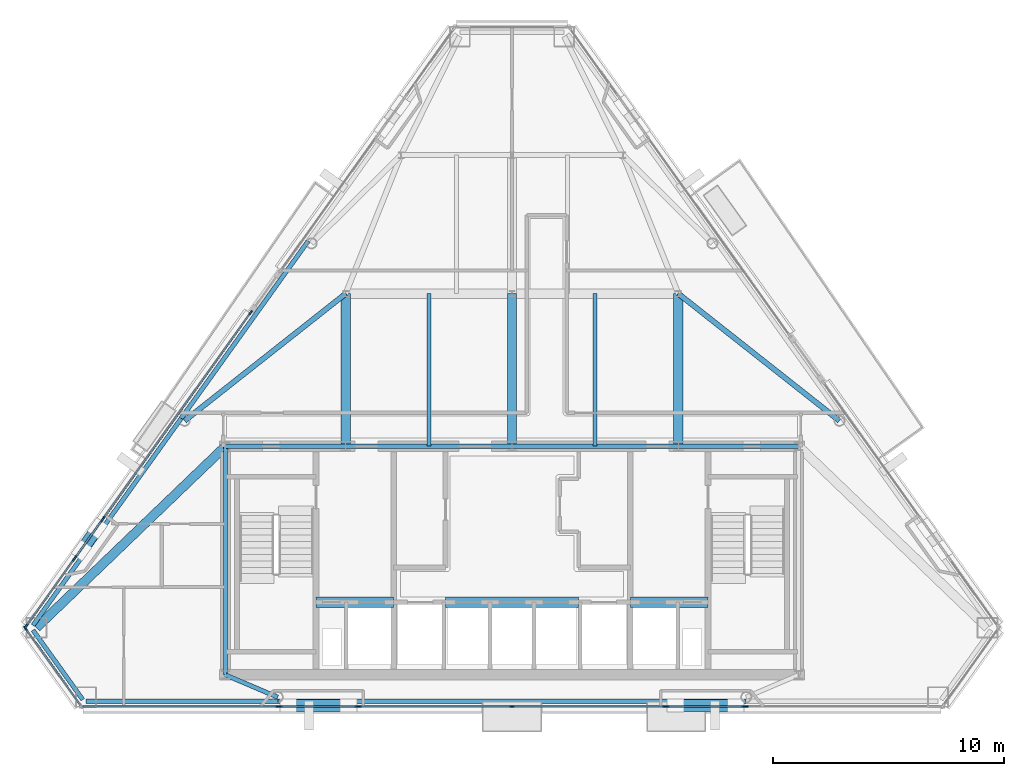
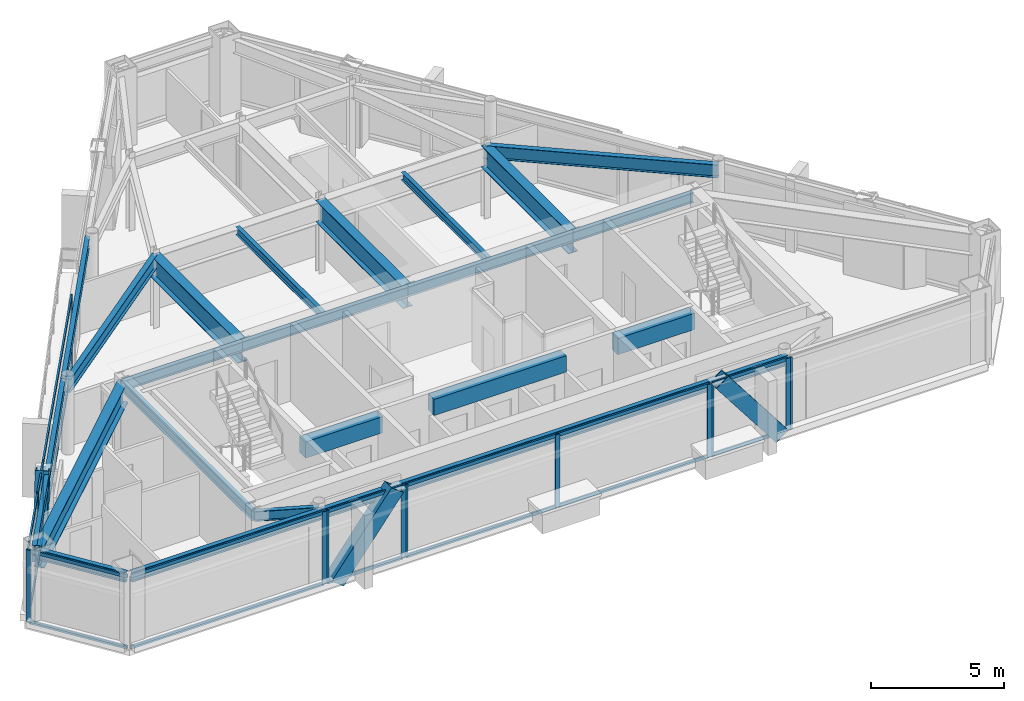
# One storey, part 4 of 12: 37 members, 22 beams, 9 elements without a shape of their own.
"""IFC4 building model written with IfcOpenShell, lengths in metres."""

from ifc_helpers import new_model, si_unit, direction, frame, origin, origin_2d, place, context, subcontext, project, spatial, rectangle, hollow_rectangle, i_section, extrude, material, layer, layer_set, material_profile, profile_set, type_object, element, aggregate, save


model = new_model("IFC4")

# Units and contexts
model_context = context("Model", 3, precision=1e-05, world=origin(), true_north=direction((0.0, 1.0)))
body_context = subcontext(model_context, "Body", "Model", "MODEL_VIEW")
ifc_project = project(units=[si_unit("LENGTHUNIT", "METRE"), si_unit("AREAUNIT", "SQUARE_METRE"), si_unit("VOLUMEUNIT", "CUBIC_METRE"), si_unit("PLANEANGLEUNIT", "RADIAN"), si_unit("MASSUNIT", "GRAM", prefix="KILO")], contexts=[model_context])

# Site, building, storey
site_placement = place(None, origin())
site = spatial("IfcSite", under=ifc_project, at=site_placement, CompositionType="ELEMENT")
building_placement = place(site_placement, origin())
building = spatial("IfcBuilding", under=site, at=building_placement, Name="Talgorran Terracotta Tower", CompositionType="ELEMENT")
storey_placement = place(building_placement, frame((0.0, 0.0, 252.60009765625)))
storey = spatial("IfcBuildingStorey", under=building, at=storey_placement, Name="L66", CompositionType="ELEMENT", Elevation=252.60009765625)

# Beams
ifc_material_1 = material(Name="Steel Grade 350 (350L0)", Category="steel")
ifc_material_profile_1 = material_profile(ifc_material_1, i_section(OverallWidth=0.39990234375, OverallDepth=1.0, WebThickness=0.01611328125, FlangeThickness=0.031005859375, at=origin_2d()), Name="1000WB296")
ifc_profile_set_1 = profile_set([ifc_material_profile_1], Name="Steel Grade 350 (350L0)")
beam_type_1 = type_object("IfcBeamType", Name="BM_1000WB296", PredefinedType="BEAM", material=ifc_profile_set_1)
for number, where, z_axis, x_axis, name in (
    (1, (-7.199951171875, -4.199951171875, 2.844970703125), (0.0, 1.0, 0.0), (-1.0, 0.0, 0.0), "L66 Floor Girder G01"),
    (2, (0.0, -4.199951171875, 2.844970703125), (0.0, 1.0, 0.0), (-1.0, 0.0, 0.0), "L66 Floor Girder G02"),
    (3, (7.199951171875, -4.199951171875, 2.844970703125), (0.0, 1.0, 0.0), (-1.0, 0.0, 0.0), "L66 Floor Girder G03"),
):
    element("IfcBeam", number, at=place(storey_placement, frame(where, z_axis=z_axis, x_axis=x_axis)), inside=storey, type_object=beam_type_1, Name=name, PredefinedType="BEAM", context=body_context, shape_type="SweptSolid", body=[
        extrude(i_section(OverallWidth=0.39990234375, OverallDepth=1.0, WebThickness=0.01611328125, FlangeThickness=0.031005859375, at=origin_2d()), origin(), (0.0, 0.0, 1.0), 6.599853515625),
    ])
beam_1_placement = place(storey_placement, frame((-12.39990234375, -4.199951171875, 2.844970703125), z_axis=(-0.721440209588, -0.692476731731, 0.0), x_axis=(0.692476731731, -0.721440209588, 0.0)))
element("IfcBeam", 4, at=beam_1_placement, inside=storey, type_object=beam_type_1, Name="L66 Floor Girder G17", PredefinedType="BEAM", context=body_context, shape_type="SweptSolid", body=[
    extrude(i_section(OverallWidth=0.39990234375, OverallDepth=1.0, WebThickness=0.01611328125, FlangeThickness=0.031005859375, at=origin_2d()), origin(), (0.0, 0.0, 1.0), 11.345703125),
])
ifc_material_2 = material(Name="Steel S355 (300PLUS)", Category="steel")
ifc_material_profile_2 = material_profile(ifc_material_2, i_section(OverallWidth=0.22802734375, OverallDepth=0.60205078125, WebThickness=0.010498046875, FlangeThickness=0.014892578125, at=origin_2d()), Name="610UB101")
ifc_profile_set_2 = profile_set([ifc_material_profile_2], Name="Steel S355 (300PLUS)")
beam_type_2 = type_object("IfcBeamType", Name="BM_610UB101", PredefinedType="BEAM", material=ifc_profile_set_2)
for number, where, z_axis, x_axis, name in (
    (5, (-7.199951171875, 2.39990234375, 3.0439453125), (-0.785110763938, -0.619355381302, 0.0), (0.619355381302, -0.785110763938, 0.0), "L66 Floor Girder G06"),
    (6, (7.199951171875, 2.39990234375, 3.0439453125), (0.785110763938, -0.619355381302, 0.0), (0.619355381302, 0.785110763938, 0.0), "L66 Floor Girder G07"),
):
    element("IfcBeam", number, at=place(storey_placement, frame(where, z_axis=z_axis, x_axis=x_axis)), inside=storey, type_object=beam_type_2, Name=name, PredefinedType="BEAM", context=body_context, shape_type="SweptSolid", body=[
        extrude(i_section(OverallWidth=0.22802734375, OverallDepth=0.60205078125, WebThickness=0.010498046875, FlangeThickness=0.014892578125, at=origin_2d()), origin(), (0.0, 0.0, 1.0), 8.878662109375),
    ])
ifc_material_3 = material(Name="Concrete C50/60", Category="concrete")
ifc_material_profile_3 = material_profile(ifc_material_3, rectangle(XDim=0.449951171875, YDim=0.75, at=origin_2d()), Name="RCCB450X750")
ifc_profile_set_3 = profile_set([ifc_material_profile_3], Name="Concrete C50/60")
beam_type_3 = type_object("IfcBeamType", Name="BM_CB_450X750", PredefinedType="LINTEL", material=ifc_profile_set_3)
beam_2_placement = place(storey_placement, frame((-8.47998046875, -10.949951171875, 2.969970703125), z_axis=(1.0, 0.0, 0.0), x_axis=(0.0, 1.0, 0.0)))
element("IfcBeam", 7, at=beam_2_placement, inside=storey, type_object=beam_type_3, Name="L66 Core Shear-Wall Coupling Beam CB1", PredefinedType="LINTEL", context=body_context, shape_type="SweptSolid", body=[
    extrude(rectangle(XDim=0.449951171875, YDim=0.75, at=origin_2d()), origin(), (0.0, 0.0, 1.0), 3.35986328125),
])
beam_3_placement = place(storey_placement, frame((-2.8798828125, -10.949951171875, 2.969970703125), z_axis=(1.0, 0.0, 0.0), x_axis=(0.0, 1.0, 0.0)))
element("IfcBeam", 8, at=beam_3_placement, inside=storey, type_object=beam_type_3, Name="L66 Core Shear-Wall Coupling Beam CB2", PredefinedType="LINTEL", context=body_context, shape_type="SweptSolid", body=[
    extrude(rectangle(XDim=0.449951171875, YDim=0.75, at=origin_2d()), origin(), (0.0, 0.0, 1.0), 5.759765625),
])
beam_4_placement = place(storey_placement, frame((5.1201171875, -10.949951171875, 2.969970703125), z_axis=(1.0, 0.0, 0.0), x_axis=(0.0, 1.0, 0.0)))
element("IfcBeam", 9, at=beam_4_placement, inside=storey, type_object=beam_type_3, Name="L66 Core Shear-Wall Coupling Beam CB3", PredefinedType="LINTEL", context=body_context, shape_type="SweptSolid", body=[
    extrude(rectangle(XDim=0.449951171875, YDim=0.75, at=origin_2d()), origin(), (0.0, 0.0, 1.0), 3.35986328125),
])
ifc_material_profile_4 = material_profile(ifc_material_2, i_section(OverallWidth=0.17138671875, OverallDepth=0.355712890625, WebThickness=0.00732421875, FlangeThickness=0.011474609375, at=origin_2d()), Name="360UB50.7")
ifc_profile_set_4 = profile_set([ifc_material_profile_4], Name="Steel S355 (300PLUS)")
beam_type_4 = type_object("IfcBeamType", Name="BM_JS_360UB51", PredefinedType="JOIST", material=ifc_profile_set_4)
for number, where, z_axis, x_axis, name in (
    (10, (-3.60009765625, -4.199951171875, 3.1669921875), (0.0, 1.0, 0.0), (-1.0, 0.0, 0.0), "L66 Secondary Joist J01"),
    (11, (3.60009765625, -4.199951171875, 3.1669921875), (0.0, 1.0, 0.0), (-1.0, 0.0, 0.0), "L66 Secondary Joist J02"),
):
    element("IfcBeam", number, at=place(storey_placement, frame(where, z_axis=z_axis, x_axis=x_axis)), inside=storey, type_object=beam_type_4, Name=name, PredefinedType="JOIST", context=body_context, shape_type="SweptSolid", body=[
        extrude(i_section(OverallWidth=0.17138671875, OverallDepth=0.355712890625, WebThickness=0.00732421875, FlangeThickness=0.011474609375, at=origin_2d()), origin(), (0.0, 0.0, 1.0), 6.599853515625),
    ])
ifc_material_profile_5 = material_profile(ifc_material_2, i_section(OverallWidth=0.18994140625, OverallDepth=0.45703125, WebThickness=0.009033203125, FlangeThickness=0.014404296875, at=origin_2d()), Name="460UB74.6")
ifc_profile_set_5 = profile_set([ifc_material_profile_5], Name="Steel S355 (300PLUS)")
beam_type_5 = type_object("IfcBeamType", Name="BM_SP_460UB74", PredefinedType="SPANDREL", material=ifc_profile_set_5)
beam_5_placement = place(storey_placement, frame((-20.7314453125, -12.16162109375, 3.116455078125), z_axis=(0.582224487769, -0.813028071989, 0.0), x_axis=(0.813028071989, 0.582224487769, 0.0)))
element("IfcBeam", 12, at=beam_5_placement, inside=storey, type_object=beam_type_5, Name="L66 Perimeter Spandrel Beam MC1-MC2", PredefinedType="SPANDREL", context=body_context, shape_type="SweptSolid", body=[
    extrude(i_section(OverallWidth=0.18994140625, OverallDepth=0.45703125, WebThickness=0.009033203125, FlangeThickness=0.014404296875, at=origin_2d()), origin(), (0.0, 0.0, 1.0), 3.697998046875),
])
beam_6_placement = place(storey_placement, frame((-18.43212890625, -15.243408203125, 3.116455078125), z_axis=(1.0, 0.0, 0.0), x_axis=(0.0, 1.0, 0.0)))
element("IfcBeam", 13, at=beam_6_placement, inside=storey, type_object=beam_type_5, Name="L66 Perimeter Spandrel Beam MC2-FC1", PredefinedType="SPANDREL", context=body_context, shape_type="SweptSolid", body=[
    extrude(i_section(OverallWidth=0.18994140625, OverallDepth=0.45703125, WebThickness=0.009033203125, FlangeThickness=0.014404296875, at=origin_2d()), origin(), (0.0, 0.0, 1.0), 8.29443359375),
])
beam_7_placement = place(storey_placement, frame((-10.1376953125, -15.243408203125, 3.116455078125), z_axis=(1.0, 0.0, 0.0), x_axis=(0.0, 1.0, 0.0)))
element("IfcBeam", 14, at=beam_7_placement, inside=storey, type_object=beam_type_5, Name="L66 Perimeter Spandrel Beam FC1-FC2", PredefinedType="SPANDREL", context=body_context, shape_type="SweptSolid", body=[
    extrude(i_section(OverallWidth=0.18994140625, OverallDepth=0.45703125, WebThickness=0.009033203125, FlangeThickness=0.014404296875, at=origin_2d()), origin(), (0.0, 0.0, 1.0), 20.275390625),
])
beam_8_placement = place(storey_placement, frame((-8.81884765625, 4.683837890625, 3.116455078125), z_axis=(-0.582203768418, -0.813042909102, 0.0), x_axis=(0.813042909102, -0.582203768418, 0.0)))
element("IfcBeam", 15, at=beam_8_placement, inside=storey, type_object=beam_type_5, Name="L66 Perimeter Spandrel Beam FC5-FC6", PredefinedType="SPANDREL", context=body_context, shape_type="SweptSolid", body=[
    extrude(i_section(OverallWidth=0.18994140625, OverallDepth=0.45703125, WebThickness=0.009033203125, FlangeThickness=0.014404296875, at=origin_2d()), origin(), (0.0, 0.0, 1.0), 9.443603515625),
])
beam_9_placement = place(storey_placement, frame((-14.31689453125, -2.994140625, 3.116455078125), z_axis=(-0.58220828918, -0.813039671855, 0.0), x_axis=(0.813039671855, -0.58220828918, 0.0)))
element("IfcBeam", 16, at=beam_9_placement, inside=storey, type_object=beam_type_5, Name="L66 Perimeter Spandrel Beam FC6-MC1", PredefinedType="SPANDREL", context=body_context, shape_type="SweptSolid", body=[
    extrude(i_section(OverallWidth=0.18994140625, OverallDepth=0.45703125, WebThickness=0.009033203125, FlangeThickness=0.014404296875, at=origin_2d()), origin(), (0.0, 0.0, 1.0), 11.017578125),
])
beam_10_placement = place(storey_placement, frame((-10.1376953125, -15.063232421875, 3.116455078125), z_axis=(-0.920082307349, 0.391725092002, 0.0), x_axis=(-0.391725092002, -0.920082307349, 0.0)))
element("IfcBeam", 17, at=beam_10_placement, inside=storey, type_object=beam_type_5, Name="L66 South-West Core Tie Beam", PredefinedType="SPANDREL", context=body_context, shape_type="SweptSolid", body=[
    extrude(i_section(OverallWidth=0.18994140625, OverallDepth=0.45703125, WebThickness=0.009033203125, FlangeThickness=0.014404296875, at=origin_2d()), origin(), (0.0, 0.0, 1.0), 2.458740234375),
])
beam_11_placement = place(storey_placement, frame((-12.39990234375, -14.10009765625, 3.116455078125), z_axis=(0.0, 1.0, 0.0), x_axis=(-1.0, 0.0, 0.0)))
element("IfcBeam", 18, at=beam_11_placement, inside=storey, type_object=beam_type_5, Name="L66 Core Frame Beam CFW", PredefinedType="SPANDREL", context=body_context, shape_type="SweptSolid", body=[
    extrude(i_section(OverallWidth=0.18994140625, OverallDepth=0.45703125, WebThickness=0.009033203125, FlangeThickness=0.014404296875, at=origin_2d()), origin(), (0.0, 0.0, 1.0), 9.900146484375),
])
beam_12_placement = place(storey_placement, frame((-12.39990234375, -4.199951171875, 3.116455078125), z_axis=(1.0, 0.0, 0.0), x_axis=(0.0, 1.0, 0.0)))
element("IfcBeam", 19, at=beam_12_placement, inside=storey, type_object=beam_type_5, Name="L66 Core Frame Beam CFN1", PredefinedType="SPANDREL", context=body_context, shape_type="SweptSolid", body=[
    extrude(i_section(OverallWidth=0.18994140625, OverallDepth=0.45703125, WebThickness=0.009033203125, FlangeThickness=0.014404296875, at=origin_2d()), origin(), (0.0, 0.0, 1.0), 5.199951171875),
])
for number, where, z_axis, x_axis, name in (
    (20, (-7.199951171875, -4.199951171875, 3.116455078125), (1.0, 0.0, 0.0), (0.0, 1.0, 0.0), "L66 Core Frame Beam CFN2"),
    (21, (0.0, -4.199951171875, 3.116455078125), (1.0, 0.0, 0.0), (0.0, 1.0, 0.0), "L66 Core Frame Beam CFN3"),
):
    element("IfcBeam", number, at=place(storey_placement, frame(where, z_axis=z_axis, x_axis=x_axis)), inside=storey, type_object=beam_type_5, Name=name, PredefinedType="SPANDREL", context=body_context, shape_type="SweptSolid", body=[
        extrude(i_section(OverallWidth=0.18994140625, OverallDepth=0.45703125, WebThickness=0.009033203125, FlangeThickness=0.014404296875, at=origin_2d()), origin(), (0.0, 0.0, 1.0), 7.199951171875),
    ])
beam_13_placement = place(storey_placement, frame((7.199951171875, -4.199951171875, 3.116455078125), z_axis=(1.0, 0.0, 0.0), x_axis=(0.0, 1.0, 0.0)))
element("IfcBeam", 22, at=beam_13_placement, inside=storey, type_object=beam_type_5, Name="L66 Core Frame Beam CFN4", PredefinedType="SPANDREL", context=body_context, shape_type="SweptSolid", body=[
    extrude(i_section(OverallWidth=0.18994140625, OverallDepth=0.45703125, WebThickness=0.009033203125, FlangeThickness=0.014404296875, at=origin_2d()), origin(), (0.0, 0.0, 1.0), 5.199951171875),
])

# Members
ifc_material_profile_6 = material_profile(ifc_material_1, hollow_rectangle(XDim=0.52001953125, YDim=0.659912109375, WallThickness=0.034912109375, at=origin_2d()), Name="WBOX660X520X35")
ifc_profile_set_6 = profile_set([ifc_material_profile_6], Name="Steel Grade 350 (350L0)")
member_type_1 = type_object("IfcMemberType", Name="MB_MEGA_660", PredefinedType="BRACE", material=ifc_profile_set_6)
for number, where, z_axis, x_axis, name in (
    (23, (-9.680908203125, -15.42333984375, -0.025146484375), (0.608960696273, 0.0, 0.793200397374), (0.0, 1.0, 0.0), "L66 Exterior Face Mega-Brace MB-3 (SWF)"),
    (24, (9.680908203125, -15.42333984375, -0.025146484375), (-0.608960696273, 0.0, 0.793200397374), (0.0, -1.0, 0.0), "L66 Exterior Face Mega-Brace MB-3 (SEF)"),
):
    element("IfcMember", number, at=place(storey_placement, frame(where, z_axis=z_axis, x_axis=x_axis)), inside=storey, type_object=member_type_1, Name=name, PredefinedType="BRACE", context=body_context, shape_type="SweptSolid", body=[
        extrude(hollow_rectangle(XDim=0.52001953125, YDim=0.659912109375, WallThickness=0.034912109375, at=origin_2d()), origin(), (0.0, 0.0, 1.0), 4.2802734375),
    ])
member_1_placement = place(storey_placement, frame((-18.630615234375, -8.708740234375, -0.025146484375), z_axis=(0.191323600613, 0.267187449347, 0.944460770366), x_axis=(-0.8130486546, 0.582195744791, 0.0)))
element("IfcMember", 25, at=member_1_placement, inside=storey, type_object=member_type_1, Name="L66 Exterior Face Mega-Brace MB-3 (NWL)", PredefinedType="BRACE", context=body_context, shape_type="SweptSolid", body=[
    extrude(hollow_rectangle(XDim=0.52001953125, YDim=0.659912109375, WallThickness=0.034912109375, at=origin_2d()), origin(), (0.0, 0.0, 1.0), 3.5947265625),
])

# Curtain wall, member
ifc_material_4 = material(Name="High-Wind Unitised Glazing", Category="glass")
ifc_layer = layer(ifc_material_4, 0.2099609375, Name="CW_SYS3_RES_HIGH")
ifc_layer_set = layer_set([ifc_layer], Name="High-Wind Unitised Glazing")
curtain_wall_type = type_object("IfcCurtainWallType", Name="CW_SYS3_RES_HIGH", PredefinedType="NOTDEFINED", material=ifc_layer_set)
curtain_wall_1_placement = place(storey_placement, origin())
curtain_wall_1 = element("IfcCurtainWall", 26, at=curtain_wall_1_placement, inside=storey, type_object=curtain_wall_type, Name="CW-L66-F0", PredefinedType="NOTDEFINED")
ifc_material_5 = material(Name="Architectural Aluminium 6063-T6", Category="aluminium")
ifc_material_profile_7 = material_profile(ifc_material_5, rectangle(XDim=0.070068359375, YDim=0.199951171875, at=origin_2d()), Name="CWM70X200")
ifc_profile_set_7 = profile_set([ifc_material_profile_7], Name="Architectural Aluminium 6063-T6")
member_type_2 = type_object("IfcMemberType", Name="MUL_70X200", PredefinedType="MULLION", material=ifc_profile_set_7)
member_2_placement = place(storey_placement, frame((-21.056640625, -12.085205078125, 0.0), z_axis=(0.0, 0.0, 1.0), x_axis=(0.813031401137, 0.582219838862, 0.0)))
member_2 = element("IfcMember", 27, at=member_2_placement, type_object=member_type_2, Name="CW-L66-0 mullion 1", PredefinedType="MULLION", context=body_context, shape_type="SweptSolid", body=[
    extrude(rectangle(XDim=0.070068359375, YDim=0.199951171875, at=origin_2d()), origin(), (0.0, 0.0, 1.0), 3.344970703125),
])

curtain_wall_2_placement = place(storey_placement, origin())
curtain_wall_2 = element("IfcCurtainWall", 28, at=curtain_wall_2_placement, inside=storey, type_object=curtain_wall_type, Name="CW-L66-F1", PredefinedType="NOTDEFINED")
member_3_placement = place(storey_placement, frame((-10.1328125, -15.46337890625, 0.0), z_axis=(0.0, 0.0, 1.0), x_axis=(0.0, 1.0, 0.0)))
member_3 = element("IfcMember", 29, at=member_3_placement, type_object=member_type_2, Name="CW-L66-1 mullion 2", PredefinedType="MULLION", context=body_context, shape_type="SweptSolid", body=[
    extrude(rectangle(XDim=0.070068359375, YDim=0.199951171875, at=origin_2d()), origin(), (0.0, 0.0, 1.0), 3.344970703125),
])

# Curtain wall, members
curtain_wall_3_placement = place(storey_placement, origin())
curtain_wall_3 = element("IfcCurtainWall", 30, at=curtain_wall_3_placement, inside=storey, type_object=curtain_wall_type, Name="CW-L66-F1B", PredefinedType="NOTDEFINED")
member_4_placement = place(storey_placement, frame((-10.052734375, -15.46337890625, 0.0), z_axis=(0.0, 0.0, 1.0), x_axis=(0.0, 1.0, 0.0)))
member_4 = element("IfcMember", 31, at=member_4_placement, type_object=member_type_2, Name="CW-L66-1B mullion 1", PredefinedType="MULLION", context=body_context, shape_type="SweptSolid", body=[
    extrude(rectangle(XDim=0.070068359375, YDim=0.199951171875, at=origin_2d()), origin(), (0.0, 0.0, 1.0), 3.344970703125),
])
member_5_placement = place(storey_placement, frame((-6.70263671875, -15.46337890625, 0.0), z_axis=(0.0, 0.0, 1.0), x_axis=(0.0, 1.0, 0.0)))
member_5 = element("IfcMember", 32, at=member_5_placement, type_object=member_type_2, Name="CW-L66-1B mullion 2", PredefinedType="MULLION", context=body_context, shape_type="SweptSolid", body=[
    extrude(rectangle(XDim=0.070068359375, YDim=0.199951171875, at=origin_2d()), origin(), (0.0, 0.0, 1.0), 3.344970703125),
])

curtain_wall_4_placement = place(storey_placement, origin())
curtain_wall_4 = element("IfcCurtainWall", 33, at=curtain_wall_4_placement, inside=storey, type_object=curtain_wall_type, Name="CW-L66-F1C", PredefinedType="NOTDEFINED")
member_6_placement = place(storey_placement, frame((-6.622802734375, -15.46337890625, 0.0), z_axis=(0.0, 0.0, 1.0), x_axis=(0.0, 1.0, 0.0)))
member_6 = element("IfcMember", 34, at=member_6_placement, type_object=member_type_2, Name="CW-L66-1C mullion 1", PredefinedType="MULLION", context=body_context, shape_type="SweptSolid", body=[
    extrude(rectangle(XDim=0.070068359375, YDim=0.199951171875, at=origin_2d()), origin(), (0.0, 0.0, 1.0), 3.344970703125),
])
member_7_placement = place(storey_placement, frame((0.0, -15.46337890625, 0.0), z_axis=(0.0, 0.0, 1.0), x_axis=(0.0, 1.0, 0.0)))
member_7 = element("IfcMember", 35, at=member_7_placement, type_object=member_type_2, Name="CW-L66-1C mullion 2", PredefinedType="MULLION", context=body_context, shape_type="SweptSolid", body=[
    extrude(rectangle(XDim=0.070068359375, YDim=0.199951171875, at=origin_2d()), origin(), (0.0, 0.0, 1.0), 3.344970703125),
])
member_8_placement = place(storey_placement, frame((6.622802734375, -15.46337890625, 0.0), z_axis=(0.0, 0.0, 1.0), x_axis=(0.0, 1.0, 0.0)))
member_8 = element("IfcMember", 36, at=member_8_placement, type_object=member_type_2, Name="CW-L66-1C mullion 3", PredefinedType="MULLION", context=body_context, shape_type="SweptSolid", body=[
    extrude(rectangle(XDim=0.070068359375, YDim=0.199951171875, at=origin_2d()), origin(), (0.0, 0.0, 1.0), 3.344970703125),
])

curtain_wall_5_placement = place(storey_placement, origin())
curtain_wall_5 = element("IfcCurtainWall", 37, at=curtain_wall_5_placement, inside=storey, type_object=curtain_wall_type, Name="CW-L66-F1D", PredefinedType="NOTDEFINED")
member_9_placement = place(storey_placement, frame((6.70263671875, -15.46337890625, 0.0), z_axis=(0.0, 0.0, 1.0), x_axis=(0.0, 1.0, 0.0)))
member_9 = element("IfcMember", 38, at=member_9_placement, type_object=member_type_2, Name="CW-L66-1D mullion 1", PredefinedType="MULLION", context=body_context, shape_type="SweptSolid", body=[
    extrude(rectangle(XDim=0.070068359375, YDim=0.199951171875, at=origin_2d()), origin(), (0.0, 0.0, 1.0), 3.344970703125),
])
member_10_placement = place(storey_placement, frame((10.052734375, -15.46337890625, 0.0), z_axis=(0.0, 0.0, 1.0), x_axis=(0.0, 1.0, 0.0)))
member_10 = element("IfcMember", 39, at=member_10_placement, type_object=member_type_2, Name="CW-L66-1D mullion 2", PredefinedType="MULLION", context=body_context, shape_type="SweptSolid", body=[
    extrude(rectangle(XDim=0.070068359375, YDim=0.199951171875, at=origin_2d()), origin(), (0.0, 0.0, 1.0), 3.344970703125),
])

# Curtain wall, member
curtain_wall_6_placement = place(storey_placement, origin())
curtain_wall_6 = element("IfcCurtainWall", 40, at=curtain_wall_6_placement, inside=storey, type_object=curtain_wall_type, Name="CW-L66-F1E", PredefinedType="NOTDEFINED")
member_11_placement = place(storey_placement, frame((10.1328125, -15.46337890625, 0.0), z_axis=(0.0, 0.0, 1.0), x_axis=(0.0, 1.0, 0.0)))
member_11 = element("IfcMember", 41, at=member_11_placement, type_object=member_type_2, Name="CW-L66-1E mullion 1", PredefinedType="MULLION", context=body_context, shape_type="SweptSolid", body=[
    extrude(rectangle(XDim=0.070068359375, YDim=0.199951171875, at=origin_2d()), origin(), (0.0, 0.0, 1.0), 3.344970703125),
])
aggregate(curtain_wall_6, [member_11])

# Curtain wall, members
curtain_wall_7_placement = place(storey_placement, origin())
curtain_wall_7 = element("IfcCurtainWall", 42, at=curtain_wall_7_placement, inside=storey, type_object=curtain_wall_type, Name="CW-L66-F61", PredefinedType="NOTDEFINED")
member_12_placement = place(storey_placement, frame((-11.311279296875, 1.5810546875, 0.0), z_axis=(0.0, 0.0, 1.0), x_axis=(0.81304153517, -0.582205687097, 0.0)))
member_12 = element("IfcMember", 43, at=member_12_placement, type_object=member_type_2, Name="CW-L66-61 mullion 1", PredefinedType="MULLION", context=body_context, shape_type="SweptSolid", body=[
    extrude(rectangle(XDim=0.070068359375, YDim=0.199951171875, at=origin_2d()), origin(), (0.0, 0.0, 1.0), 3.344970703125),
])
member_13_placement = place(storey_placement, frame((-17.68310546875, -7.317138671875, 0.0), z_axis=(0.0, 0.0, 1.0), x_axis=(0.81304153517, -0.582205687097, 0.0)))
member_13 = element("IfcMember", 44, at=member_13_placement, type_object=member_type_2, Name="CW-L66-61 mullion 2", PredefinedType="MULLION", context=body_context, shape_type="SweptSolid", body=[
    extrude(rectangle(XDim=0.070068359375, YDim=0.199951171875, at=origin_2d()), origin(), (0.0, 0.0, 1.0), 3.344970703125),
])

curtain_wall_8_placement = place(storey_placement, origin())
curtain_wall_8 = element("IfcCurtainWall", 45, at=curtain_wall_8_placement, inside=storey, type_object=curtain_wall_type, Name="CW-L66-F61B", PredefinedType="NOTDEFINED")
member_14_placement = place(storey_placement, frame((-17.729736328125, -7.38232421875, 0.0), z_axis=(0.0, 0.0, 1.0), x_axis=(0.813023164731, -0.582231340285, 0.0)))
member_14 = element("IfcMember", 46, at=member_14_placement, type_object=member_type_2, Name="CW-L66-61B mullion 1", PredefinedType="MULLION", context=body_context, shape_type="SweptSolid", body=[
    extrude(rectangle(XDim=0.070068359375, YDim=0.199951171875, at=origin_2d()), origin(), (0.0, 0.0, 1.0), 3.344970703125),
])
member_15_placement = place(storey_placement, frame((-18.908447265625, -9.0283203125, 0.0), z_axis=(0.0, 0.0, 1.0), x_axis=(0.813023164731, -0.582231340285, 0.0)))
member_15 = element("IfcMember", 47, at=member_15_placement, type_object=member_type_2, Name="CW-L66-61B mullion 2", PredefinedType="MULLION", context=body_context, shape_type="SweptSolid", body=[
    extrude(rectangle(XDim=0.070068359375, YDim=0.199951171875, at=origin_2d()), origin(), (0.0, 0.0, 1.0), 3.344970703125),
])

curtain_wall_9_placement = place(storey_placement, origin())
curtain_wall_9 = element("IfcCurtainWall", 48, at=curtain_wall_9_placement, inside=storey, type_object=curtain_wall_type, Name="CW-L66-F61C", PredefinedType="NOTDEFINED")
member_16_placement = place(storey_placement, frame((-18.955078125, -9.09326171875, 0.0), z_axis=(0.0, 0.0, 1.0), x_axis=(0.813042330574, -0.582204576326, 0.0)))
member_16 = element("IfcMember", 49, at=member_16_placement, type_object=member_type_2, Name="CW-L66-61C mullion 1", PredefinedType="MULLION", context=body_context, shape_type="SweptSolid", body=[
    extrude(rectangle(XDim=0.070068359375, YDim=0.199951171875, at=origin_2d()), origin(), (0.0, 0.0, 1.0), 3.344970703125),
])
member_17_placement = place(storey_placement, frame((-21.033447265625, -11.995849609375, 0.0), z_axis=(0.0, 0.0, 1.0), x_axis=(0.813042330574, -0.582204576326, 0.0)))
member_17 = element("IfcMember", 50, at=member_17_placement, type_object=member_type_2, Name="CW-L66-61C mullion 2", PredefinedType="MULLION", context=body_context, shape_type="SweptSolid", body=[
    extrude(rectangle(XDim=0.070068359375, YDim=0.199951171875, at=origin_2d()), origin(), (0.0, 0.0, 1.0), 3.344970703125),
])

# Member
ifc_material_profile_8 = material_profile(ifc_material_5, rectangle(XDim=0.070068359375, YDim=0.159912109375, at=origin_2d()), Name="CWT70X160")
ifc_profile_set_8 = profile_set([ifc_material_profile_8], Name="Architectural Aluminium 6063-T6")
member_type_3 = type_object("IfcMemberType", Name="TRN_70X160", PredefinedType="USERDEFINED", material=ifc_profile_set_8)
member_18_placement = place(storey_placement, frame((-21.036376953125, -12.113525390625, 0.034912109375), z_axis=(0.582184359595, -0.813056807021, 0.0), x_axis=(0.813056807021, 0.582184359595, 0.0)))
member_18 = element("IfcMember", 51, at=member_18_placement, type_object=member_type_3, Name="CW-L66-0 transom 1.1", ObjectType="TRANSOM", PredefinedType="USERDEFINED", context=body_context, shape_type="SweptSolid", body=[
    extrude(rectangle(XDim=0.070068359375, YDim=0.159912109375, at=origin_2d()), origin(), (0.0, 0.0, 1.0), 4.050048828125),
])

member_19_placement = place(storey_placement, frame((-21.036376953125, -12.113525390625, 3.309814453125), z_axis=(0.582184359595, -0.813056807021, 0.0), x_axis=(0.813056807021, 0.582184359595, 0.0)))
member_19 = element("IfcMember", 52, at=member_19_placement, type_object=member_type_3, Name="CW-L66-0 transom 1.2", ObjectType="TRANSOM", PredefinedType="USERDEFINED", context=body_context, shape_type="SweptSolid", body=[
    extrude(rectangle(XDim=0.070068359375, YDim=0.159912109375, at=origin_2d()), origin(), (0.0, 0.0, 1.0), 4.050048828125),
])

aggregate(curtain_wall_1, [member_2, member_18, member_19])

member_20_placement = place(storey_placement, frame((-18.567626953125, -15.46337890625, 0.034912109375), z_axis=(1.0, 0.0, 0.0), x_axis=(0.0, 1.0, 0.0)))
member_20 = element("IfcMember", 53, at=member_20_placement, type_object=member_type_3, Name="CW-L66-1 transom 1.1", ObjectType="TRANSOM", PredefinedType="USERDEFINED", context=body_context, shape_type="SweptSolid", body=[
    extrude(rectangle(XDim=0.070068359375, YDim=0.159912109375, at=origin_2d()), origin(), (0.0, 0.0, 1.0), 8.39990234375),
])

member_21_placement = place(storey_placement, frame((-18.567626953125, -15.46337890625, 3.309814453125), z_axis=(1.0, 0.0, 0.0), x_axis=(0.0, 1.0, 0.0)))
member_21 = element("IfcMember", 54, at=member_21_placement, type_object=member_type_3, Name="CW-L66-1 transom 1.2", ObjectType="TRANSOM", PredefinedType="USERDEFINED", context=body_context, shape_type="SweptSolid", body=[
    extrude(rectangle(XDim=0.070068359375, YDim=0.159912109375, at=origin_2d()), origin(), (0.0, 0.0, 1.0), 8.39990234375),
])

aggregate(curtain_wall_2, [member_3, member_20, member_21])

member_22_placement = place(storey_placement, frame((-10.017578125, -15.46337890625, 0.034912109375), z_axis=(1.0, 0.0, 0.0), x_axis=(0.0, 1.0, 0.0)))
member_22 = element("IfcMember", 55, at=member_22_placement, type_object=member_type_3, Name="CW-L66-1B transom 1.1", ObjectType="TRANSOM", PredefinedType="USERDEFINED", context=body_context, shape_type="SweptSolid", body=[
    extrude(rectangle(XDim=0.070068359375, YDim=0.159912109375, at=origin_2d()), origin(), (0.0, 0.0, 1.0), 3.27978515625),
])

member_23_placement = place(storey_placement, frame((-10.017578125, -15.46337890625, 3.309814453125), z_axis=(1.0, 0.0, 0.0), x_axis=(0.0, 1.0, 0.0)))
member_23 = element("IfcMember", 56, at=member_23_placement, type_object=member_type_3, Name="CW-L66-1B transom 1.2", ObjectType="TRANSOM", PredefinedType="USERDEFINED", context=body_context, shape_type="SweptSolid", body=[
    extrude(rectangle(XDim=0.070068359375, YDim=0.159912109375, at=origin_2d()), origin(), (0.0, 0.0, 1.0), 3.27978515625),
])

aggregate(curtain_wall_3, [member_4, member_5, member_22, member_23])

member_24_placement = place(storey_placement, frame((-6.587646484375, -15.46337890625, 0.034912109375), z_axis=(1.0, 0.0, 0.0), x_axis=(0.0, 1.0, 0.0)))
member_24 = element("IfcMember", 57, at=member_24_placement, type_object=member_type_3, Name="CW-L66-1C transom 1.1", ObjectType="TRANSOM", PredefinedType="USERDEFINED", context=body_context, shape_type="SweptSolid", body=[
    extrude(rectangle(XDim=0.070068359375, YDim=0.159912109375, at=origin_2d()), origin(), (0.0, 0.0, 1.0), 6.552734375),
])

member_25_placement = place(storey_placement, frame((-6.587646484375, -15.46337890625, 3.309814453125), z_axis=(1.0, 0.0, 0.0), x_axis=(0.0, 1.0, 0.0)))
member_25 = element("IfcMember", 58, at=member_25_placement, type_object=member_type_3, Name="CW-L66-1C transom 1.2", ObjectType="TRANSOM", PredefinedType="USERDEFINED", context=body_context, shape_type="SweptSolid", body=[
    extrude(rectangle(XDim=0.070068359375, YDim=0.159912109375, at=origin_2d()), origin(), (0.0, 0.0, 1.0), 6.552734375),
])

member_26_placement = place(storey_placement, frame((0.034912109375, -15.46337890625, 0.034912109375), z_axis=(1.0, 0.0, 0.0), x_axis=(0.0, 1.0, 0.0)))
member_26 = element("IfcMember", 59, at=member_26_placement, type_object=member_type_3, Name="CW-L66-1C transom 2.1", ObjectType="TRANSOM", PredefinedType="USERDEFINED", context=body_context, shape_type="SweptSolid", body=[
    extrude(rectangle(XDim=0.070068359375, YDim=0.159912109375, at=origin_2d()), origin(), (0.0, 0.0, 1.0), 6.552734375),
])

member_27_placement = place(storey_placement, frame((0.034912109375, -15.46337890625, 3.309814453125), z_axis=(1.0, 0.0, 0.0), x_axis=(0.0, 1.0, 0.0)))
member_27 = element("IfcMember", 60, at=member_27_placement, type_object=member_type_3, Name="CW-L66-1C transom 2.2", ObjectType="TRANSOM", PredefinedType="USERDEFINED", context=body_context, shape_type="SweptSolid", body=[
    extrude(rectangle(XDim=0.070068359375, YDim=0.159912109375, at=origin_2d()), origin(), (0.0, 0.0, 1.0), 6.552734375),
])

aggregate(curtain_wall_4, [member_6, member_7, member_8, member_24, member_25, member_26, member_27])

member_28_placement = place(storey_placement, frame((6.73779296875, -15.46337890625, 0.034912109375), z_axis=(1.0, 0.0, 0.0), x_axis=(0.0, 1.0, 0.0)))
member_28 = element("IfcMember", 61, at=member_28_placement, type_object=member_type_3, Name="CW-L66-1D transom 1.1", ObjectType="TRANSOM", PredefinedType="USERDEFINED", context=body_context, shape_type="SweptSolid", body=[
    extrude(rectangle(XDim=0.070068359375, YDim=0.159912109375, at=origin_2d()), origin(), (0.0, 0.0, 1.0), 3.27978515625),
])

member_29_placement = place(storey_placement, frame((6.73779296875, -15.46337890625, 3.309814453125), z_axis=(1.0, 0.0, 0.0), x_axis=(0.0, 1.0, 0.0)))
member_29 = element("IfcMember", 62, at=member_29_placement, type_object=member_type_3, Name="CW-L66-1D transom 1.2", ObjectType="TRANSOM", PredefinedType="USERDEFINED", context=body_context, shape_type="SweptSolid", body=[
    extrude(rectangle(XDim=0.070068359375, YDim=0.159912109375, at=origin_2d()), origin(), (0.0, 0.0, 1.0), 3.27978515625),
])

aggregate(curtain_wall_5, [member_9, member_10, member_28, member_29])

member_30_placement = place(storey_placement, frame((-11.331787109375, 1.552490234375, 0.034912109375), z_axis=(-0.582201969501, -0.813044197267, 0.0), x_axis=(0.813044197267, -0.582201969501, 0.0)))
member_30 = element("IfcMember", 63, at=member_30_placement, type_object=member_type_3, Name="CW-L66-61 transom 1.1", ObjectType="TRANSOM", PredefinedType="USERDEFINED", context=body_context, shape_type="SweptSolid", body=[
    extrude(rectangle(XDim=0.070068359375, YDim=0.159912109375, at=origin_2d()), origin(), (0.0, 0.0, 1.0), 10.874267578125),
])

member_31_placement = place(storey_placement, frame((-11.331787109375, 1.552490234375, 3.309814453125), z_axis=(-0.582201969501, -0.813044197267, 0.0), x_axis=(0.813044197267, -0.582201969501, 0.0)))
member_31 = element("IfcMember", 64, at=member_31_placement, type_object=member_type_3, Name="CW-L66-61 transom 1.2", ObjectType="TRANSOM", PredefinedType="USERDEFINED", context=body_context, shape_type="SweptSolid", body=[
    extrude(rectangle(XDim=0.070068359375, YDim=0.159912109375, at=origin_2d()), origin(), (0.0, 0.0, 1.0), 10.874267578125),
])

aggregate(curtain_wall_7, [member_12, member_13, member_30, member_31])

member_32_placement = place(storey_placement, frame((-17.750244140625, -7.41064453125, 0.034912109375), z_axis=(-0.582206680135, -0.813040824071, 0.0), x_axis=(0.813040824071, -0.582206680135, 0.0)))
member_32 = element("IfcMember", 65, at=member_32_placement, type_object=member_type_3, Name="CW-L66-61B transom 1.1", ObjectType="TRANSOM", PredefinedType="USERDEFINED", context=body_context, shape_type="SweptSolid", body=[
    extrude(rectangle(XDim=0.070068359375, YDim=0.159912109375, at=origin_2d()), origin(), (0.0, 0.0, 1.0), 1.95458984375),
])

member_33_placement = place(storey_placement, frame((-17.750244140625, -7.41064453125, 3.309814453125), z_axis=(-0.582206680135, -0.813040824071, 0.0), x_axis=(0.813040824071, -0.582206680135, 0.0)))
member_33 = element("IfcMember", 66, at=member_33_placement, type_object=member_type_3, Name="CW-L66-61B transom 1.2", ObjectType="TRANSOM", PredefinedType="USERDEFINED", context=body_context, shape_type="SweptSolid", body=[
    extrude(rectangle(XDim=0.070068359375, YDim=0.159912109375, at=origin_2d()), origin(), (0.0, 0.0, 1.0), 1.95458984375),
])

aggregate(curtain_wall_8, [member_14, member_15, member_32, member_33])

member_34_placement = place(storey_placement, frame((-18.975341796875, -9.121826171875, 0.034912109375), z_axis=(-0.582207806572, -0.813040017445, 0.0), x_axis=(0.813040017445, -0.582207806572, 0.0)))
member_34 = element("IfcMember", 67, at=member_34_placement, type_object=member_type_3, Name="CW-L66-61C transom 1.1", ObjectType="TRANSOM", PredefinedType="USERDEFINED", context=body_context, shape_type="SweptSolid", body=[
    extrude(rectangle(XDim=0.070068359375, YDim=0.159912109375, at=origin_2d()), origin(), (0.0, 0.0, 1.0), 3.499755859375),
])

member_35_placement = place(storey_placement, frame((-18.975341796875, -9.121826171875, 3.309814453125), z_axis=(-0.582207806572, -0.813040017445, 0.0), x_axis=(0.813040017445, -0.582207806572, 0.0)))
member_35 = element("IfcMember", 68, at=member_35_placement, type_object=member_type_3, Name="CW-L66-61C transom 1.2", ObjectType="TRANSOM", PredefinedType="USERDEFINED", context=body_context, shape_type="SweptSolid", body=[
    extrude(rectangle(XDim=0.070068359375, YDim=0.159912109375, at=origin_2d()), origin(), (0.0, 0.0, 1.0), 3.499755859375),
])

aggregate(curtain_wall_9, [member_16, member_17, member_34, member_35])

save(model, "model.ifc")
